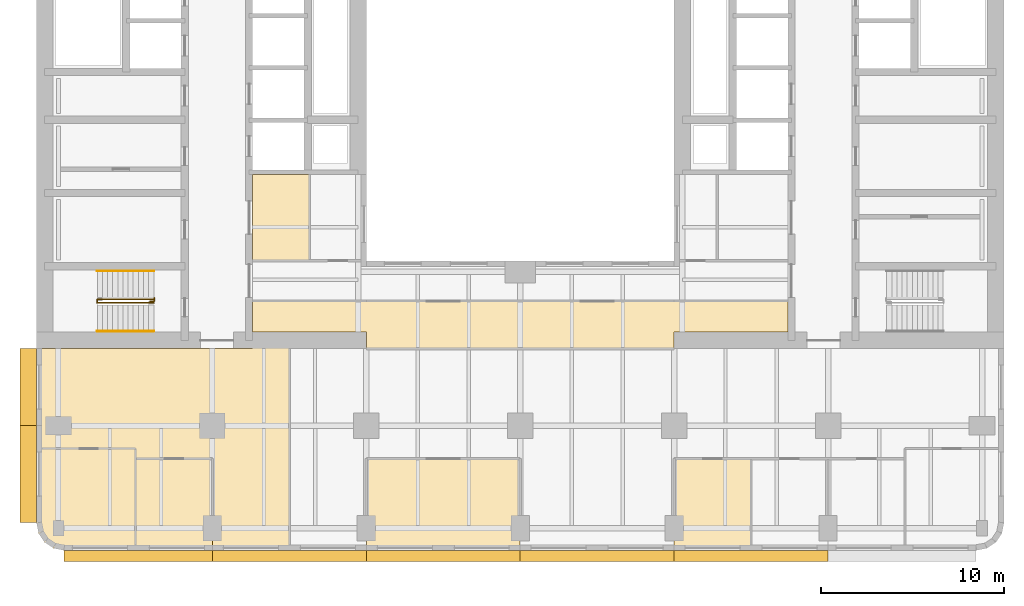
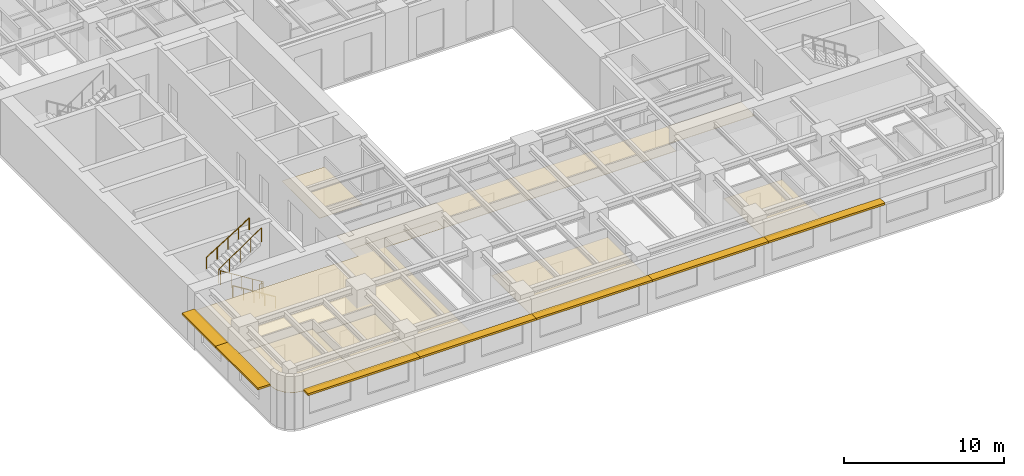
# One storey, part 9 of 11: 7 coverings, 7 shading devices, 4 railings.
"""IFC4 building model written with IfcOpenShell, lengths in metres."""

from ifc_helpers import new_model, si_unit, direction, frame, origin, origin_2d, place, context, subcontext, project, spatial, polyline, rectangle, circle, outline, extrude, material, layer, layer_set, type_object, element, save


model = new_model("IFC4")

# Units and contexts
model_context = context("Model", 3, precision=1e-05, world=origin(), true_north=direction((0.0, 1.0)))
body_context = subcontext(model_context, "Body", "Model", "MODEL_VIEW")
ifc_project = project(units=[si_unit("LENGTHUNIT", "METRE"), si_unit("AREAUNIT", "SQUARE_METRE"), si_unit("VOLUMEUNIT", "CUBIC_METRE"), si_unit("PLANEANGLEUNIT", "RADIAN"), si_unit("MASSUNIT", "GRAM", prefix="KILO")], contexts=[model_context])

# Site, building, storey
site_placement = place(None, origin())
site = spatial("IfcSite", under=ifc_project, at=site_placement, CompositionType="ELEMENT")
building_placement = place(site_placement, origin())
building = spatial("IfcBuilding", under=site, at=building_placement, Name="Claustro Exchange Tower", CompositionType="ELEMENT")
storey_placement = place(building_placement, frame((0.0, 0.0, 130.199951171875)))
storey = spatial("IfcBuildingStorey", under=building, at=storey_placement, Name="L29", CompositionType="ELEMENT", Elevation=130.199951171875)

# Coverings
ifc_material_1 = material(Name="Perforated metal ceiling tiles", Category="steel")
ifc_layer_1 = layer(ifc_material_1, 0.030029296875)
ifc_layer_set_1 = layer_set([ifc_layer_1], Name="Perforated metal ceiling tiles")
covering_type_1 = type_object("IfcCoveringType", Name="CL1 suspended metal ceiling", PredefinedType="CEILING", material=ifc_layer_set_1)
covering_1_placement = place(storey_placement, frame((0.0, 0.0, 2.800048828125)))
element("IfcCovering", 1, at=covering_1_placement, inside=storey, type_object=covering_type_1, Name="Ceiling CL1 L29-09", PredefinedType="CEILING", context=body_context, shape_type="SweptSolid", body=[
    extrude(outline(polyline([(10.60009765625, 12.60009765625), (-1.199951171875, 12.60009765625), (-1.199951171875, 7.14990234375), (4.199951171875, 7.14990234375), (4.199951171875, 6.60009765625), (8.39990234375, 6.60009765625), (8.39990234375, 1.60009765625), (12.60009765625, 1.60009765625), (12.60009765625, 12.60009765625), (16.800048828125, 12.60009765625), (16.800048828125, 13.5), (10.60009765625, 13.5), (10.60009765625, 12.60009765625)])), origin(), (0.0, 0.0, 1.0), 0.030029296875),
])
ifc_material_2 = material(Name="Gypsum board ceiling", Category="gypsum board")
ifc_layer_2 = layer(ifc_material_2, 0.02490234375)
ifc_layer_set_2 = layer_set([ifc_layer_2], Name="Gypsum board ceiling")
covering_type_2 = type_object("IfcCoveringType", Name="CL2 plasterboard ceiling", PredefinedType="CEILING", material=ifc_layer_set_2)
covering_2_placement = place(storey_placement, frame((0.0, 0.0, 2.800048828125)))
element("IfcCovering", 2, at=covering_2_placement, inside=storey, type_object=covering_type_2, Name="Ceiling CL2 L29-01", PredefinedType="CEILING", context=body_context, shape_type="SweptSolid", body=[
    extrude(outline(polyline([(4.199951171875, 1.60009765625), (8.39990234375, 1.60009765625), (8.39990234375, 6.60009765625), (4.199951171875, 6.60009765625), (4.199951171875, 1.60009765625)])), origin(), (0.0, 0.0, 1.0), 0.02490234375),
])
covering_3_placement = place(storey_placement, frame((0.0, 0.0, 2.800048828125)))
element("IfcCovering", 3, at=covering_3_placement, inside=storey, type_object=covering_type_2, Name="Ceiling CL2 L29-02", PredefinedType="CEILING", context=body_context, shape_type="SweptSolid", body=[
    extrude(outline(polyline([(16.800048828125, 1.60009765625), (25.199951171875, 1.60009765625), (25.199951171875, 6.60009765625), (16.800048828125, 6.60009765625), (16.800048828125, 1.60009765625)])), origin(), (0.0, 0.0, 1.0), 0.02490234375),
])
covering_4_placement = place(storey_placement, frame((0.0, 0.0, 2.800048828125)))
element("IfcCovering", 4, at=covering_4_placement, inside=storey, type_object=covering_type_2, Name="Ceiling CL2 L29-03", PredefinedType="CEILING", context=body_context, shape_type="SweptSolid", body=[
    extrude(outline(polyline([(33.60009765625, 1.60009765625), (37.800048828125, 1.60009765625), (37.800048828125, 6.60009765625), (33.60009765625, 6.60009765625), (33.60009765625, 1.60009765625)])), origin(), (0.0, 0.0, 1.0), 0.02490234375),
])
covering_5_placement = place(storey_placement, frame((0.0, 0.0, 2.800048828125)))
element("IfcCovering", 5, at=covering_5_placement, inside=storey, type_object=covering_type_2, Name="Ceiling CL2 L29-06", PredefinedType="CEILING", context=body_context, shape_type="SweptSolid", body=[
    extrude(outline(polyline([(-1.085693359375, 2.52587890625), (-0.7607421875, 2.039306640625), (-0.27392578125, 1.714111328125), (0.300048828125, 1.60009765625), (4.199951171875, 1.60009765625), (4.199951171875, 7.14990234375), (-1.199951171875, 7.14990234375), (-1.199951171875, 3.10009765625), (-1.085693359375, 2.52587890625)])), origin(), (0.0, 0.0, 1.0), 0.02490234375),
])
covering_6_placement = place(storey_placement, frame((0.0, 0.0, 2.800048828125)))
element("IfcCovering", 6, at=covering_6_placement, inside=storey, type_object=covering_type_2, Name="Ceiling CL2 L29-10", PredefinedType="CEILING", context=body_context, shape_type="SweptSolid", body=[
    extrude(outline(polyline([(10.60009765625, 15.199951171875), (10.60009765625, 13.5), (16.800048828125, 13.5), (16.800048828125, 12.60009765625), (33.60009765625, 12.60009765625), (33.60009765625, 13.5), (39.800048828125, 13.5), (39.800048828125, 15.199951171875), (33.60009765625, 15.199951171875), (16.800048828125, 15.199951171875), (10.60009765625, 15.199951171875)])), origin(), (0.0, 0.0, 1.0), 0.02490234375),
])
covering_7_placement = place(storey_placement, frame((0.0, 0.0, 2.800048828125)))
element("IfcCovering", 7, at=covering_7_placement, inside=storey, type_object=covering_type_2, Name="Ceiling CL2 L29-12", PredefinedType="CEILING", context=body_context, shape_type="SweptSolid", body=[
    extrude(outline(polyline([(13.699951171875, 17.39990234375), (13.699951171875, 22.10009765625), (10.60009765625, 22.10009765625), (10.60009765625, 17.39990234375), (13.699951171875, 17.39990234375)])), origin(), (0.0, 0.0, 1.0), 0.02490234375),
])

# Railings
ifc_material_3 = material(Name="Steel balustrade, painted", Category="steel")
railing_type_1 = type_object("IfcRailingType", Name="GR2 1100 steel stair guard", PredefinedType="GUARDRAIL", material=ifc_material_3)
railing_1_placement = place(storey_placement, frame((5.199951171875, 15.10009765625, 0.175048828125)))
element("IfcRailing", 8, at=railing_1_placement, inside=storey, type_object=railing_type_1, Name="Stair well guard GR2 stair STWA L29", PredefinedType="GUARDRAIL", context=body_context, shape_type="SweptSolid", body=[
    extrude(circle(Radius=0.02392578125, at=origin_2d()), frame((0.0, 0.0, 1.076171875), z_axis=(-0.847979421464, 0.0, 0.530029150871), x_axis=(0.0, -1.0, 0.0)), (0.0, 0.0, 1.0), 3.632080078125),
    extrude(circle(Radius=0.02392578125, at=origin_2d()), frame((-3.079833984375, 0.0, 3.0009765625), z_axis=(0.0, 1.0, 0.0), x_axis=(-1.0, 0.0, 0.0)), (0.0, 0.0, 1.0), 0.199951171875),
    extrude(circle(Radius=0.02392578125, at=origin_2d()), frame((-3.079833984375, 0.199951171875, 3.0009765625), z_axis=(0.826231499792, 0.0, 0.563330727682), x_axis=(0.0, 1.0, 0.0)), (0.0, 0.0, 1.0), 3.7275390625),
    extrude(circle(Radius=0.02099609375, at=origin_2d()), origin(), (0.0, 0.0, 1.0), 1.052001953125),
    extrude(circle(Radius=0.02099609375, at=origin_2d()), frame((-0.77001953125, 0.0, 0.481201171875)), (0.0, 0.0, 1.0), 1.052001953125),
    extrude(circle(Radius=0.02099609375, at=origin_2d()), frame((-1.5400390625, 0.0, 0.96240234375)), (0.0, 0.0, 1.0), 1.052001953125),
    extrude(circle(Radius=0.02099609375, at=origin_2d()), frame((-2.309814453125, 0.0, 1.44384765625)), (0.0, 0.0, 1.0), 1.052001953125),
    extrude(circle(Radius=0.02099609375, at=origin_2d()), frame((-3.079833984375, 0.0, 1.925048828125)), (0.0, 0.0, 1.0), 1.052001953125),
    extrude(circle(Radius=0.02099609375, at=origin_2d()), frame((-3.079833984375, 0.199951171875, 1.925048828125)), (0.0, 0.0, 1.0), 1.052001953125),
    extrude(circle(Radius=0.02099609375, at=origin_2d()), frame((-2.309814453125, 0.199951171875, 2.449951171875)), (0.0, 0.0, 1.0), 1.052001953125),
    extrude(circle(Radius=0.02099609375, at=origin_2d()), frame((-1.5400390625, 0.199951171875, 2.97509765625)), (0.0, 0.0, 1.0), 1.052001953125),
    extrude(circle(Radius=0.02099609375, at=origin_2d()), frame((-0.77001953125, 0.199951171875, 3.5)), (0.0, 0.0, 1.0), 1.052001953125),
    extrude(circle(Radius=0.02099609375, at=origin_2d()), frame((0.0, 0.199951171875, 4.02490234375)), (0.0, 0.0, 1.0), 1.052001953125),
])
railing_2_placement = place(storey_placement, frame((5.0, 15.169921875, 0.0)))
element("IfcRailing", 9, at=railing_2_placement, inside=storey, type_object=railing_type_1, Name="Stair guard GR2 STWA L29", PredefinedType="GUARDRAIL", context=body_context, shape_type="SweptSolid", body=[
    extrude(circle(Radius=0.02392578125, at=origin_2d()), frame((0.0, 0.0, 1.076171875), z_axis=(0.0, 1.0, 0.0), x_axis=(-1.0, 0.0, 0.0)), (0.0, 0.0, 1.0), 0.030029296875),
    extrude(circle(Radius=0.02392578125, at=origin_2d()), frame((0.0, 0.030029296875, 1.076171875), z_axis=(1.0, 0.0, 0.0), x_axis=(0.0, 1.0, 0.0)), (0.0, 0.0, 1.0), 0.22509765625),
    extrude(circle(Radius=0.02392578125, at=origin_2d()), frame((0.22509765625, 0.030029296875, 1.076171875), z_axis=(0.0, 1.0, 0.0), x_axis=(-1.0, 0.0, 0.0)), (0.0, 0.0, 1.0), 0.179931640625),
    extrude(circle(Radius=0.02099609375, at=origin_2d()), origin(), (0.0, 0.0, 1.0), 1.052001953125),
    extrude(circle(Radius=0.02099609375, at=origin_2d()), frame((0.0, 0.030029296875, 0.0)), (0.0, 0.0, 1.0), 1.052001953125),
    extrude(circle(Radius=0.02099609375, at=origin_2d()), frame((0.22509765625, 0.030029296875, 0.0)), (0.0, 0.0, 1.0), 1.052001953125),
    extrude(circle(Radius=0.02099609375, at=origin_2d()), frame((0.22509765625, 0.2099609375, 0.0)), (0.0, 0.0, 1.0), 1.052001953125),
])
ifc_material_4 = material(Name="Stainless steel tube", Category="steel")
railing_type_2 = type_object("IfcRailingType", Name="HR1 900 stair handrail", PredefinedType="HANDRAIL", material=ifc_material_4)
railing_3_placement = place(storey_placement, frame((5.199951171875, 13.56005859375, 0.175048828125)))
element("IfcRailing", 10, at=railing_3_placement, inside=storey, type_object=railing_type_2, Name="Handrail HR1 stair STWA L29", PredefinedType="HANDRAIL", context=body_context, shape_type="SweptSolid", body=[
    extrude(circle(Radius=0.02392578125, at=origin_2d()), frame((0.0, 0.0, 0.8759765625), z_axis=(-0.847979421464, 0.0, 0.530029150871), x_axis=(0.0, -1.0, 0.0)), (0.0, 0.0, 1.0), 3.632080078125),
    extrude(circle(Radius=0.02099609375, at=origin_2d()), origin(), (0.0, 0.0, 1.0), 0.851806640625),
    extrude(circle(Radius=0.02099609375, at=origin_2d()), frame((-0.77001953125, 0.0, 0.481201171875)), (0.0, 0.0, 1.0), 0.851806640625),
    extrude(circle(Radius=0.02099609375, at=origin_2d()), frame((-1.5400390625, 0.0, 0.96240234375)), (0.0, 0.0, 1.0), 0.851806640625),
    extrude(circle(Radius=0.02099609375, at=origin_2d()), frame((-2.309814453125, 0.0, 1.44384765625)), (0.0, 0.0, 1.0), 0.851806640625),
    extrude(circle(Radius=0.02099609375, at=origin_2d()), frame((-3.079833984375, 0.0, 1.925048828125)), (0.0, 0.0, 1.0), 0.851806640625),
])
railing_4_placement = place(storey_placement, frame((2.1201171875, 16.840087890625, 2.275146484375)))
element("IfcRailing", 11, at=railing_4_placement, inside=storey, type_object=railing_type_2, Name="Handrail HR1 stair STWA L29", PredefinedType="HANDRAIL", context=body_context, shape_type="SweptSolid", body=[
    extrude(circle(Radius=0.02392578125, at=origin_2d()), frame((0.0, 0.0, 0.8759765625), z_axis=(0.848009633417, 0.0, 0.529980812513), x_axis=(0.0, 1.0, 0.0)), (0.0, 0.0, 1.0), 3.6318359375),
    extrude(circle(Radius=0.02099609375, at=origin_2d()), origin(), (0.0, 0.0, 1.0), 0.851806640625),
    extrude(circle(Radius=0.02099609375, at=origin_2d()), frame((0.77001953125, 0.0, 0.481201171875)), (0.0, 0.0, 1.0), 0.851806640625),
    extrude(circle(Radius=0.02099609375, at=origin_2d()), frame((1.5400390625, 0.0, 0.96240234375)), (0.0, 0.0, 1.0), 0.851806640625),
    extrude(circle(Radius=0.02099609375, at=origin_2d()), frame((2.309814453125, 0.0, 1.443603515625)), (0.0, 0.0, 1.0), 0.851806640625),
    extrude(circle(Radius=0.02099609375, at=origin_2d()), frame((3.079833984375, 0.0, 1.9248046875)), (0.0, 0.0, 1.0), 0.851806640625),
])

# Shading devices
ifc_material_5 = material(Name="Concrete HA-40 (C40/50), precast, white cement, acid-etched", Category="concrete")
ifc_layer_3 = layer(ifc_material_5, 0.14990234375)
ifc_layer_set_3 = layer_set([ifc_layer_3], Name="Concrete HA-40 (C40/50), precast, white cement, acid-etched")
shading_device_type_1 = type_object("IfcShadingDeviceType", Name="SS1 600 precast concrete SUNSHADE", PredefinedType="SHUTTER", material=ifc_layer_set_3)
for number, where, z_axis, x_axis, name in (
    (12, (37.800048828125, 1.300048828125, 2.800048828125), (0.0, 0.0, 1.0), (-1.0, 0.0, 0.0), "Precast SUNSHADE SS1 L29"),
    (13, (29.39990234375, 1.300048828125, 2.800048828125), (0.0, 0.0, 1.0), (-1.0, 0.0, 0.0), "Precast SUNSHADE SS1 L29"),
    (14, (21.0, 1.300048828125, 2.800048828125), (0.0, 0.0, 1.0), (-1.0, 0.0, 0.0), "Precast SUNSHADE SS1 L29"),
    (15, (12.60009765625, 1.300048828125, 2.800048828125), (0.0, 0.0, 1.0), (-1.0, 0.0, 0.0), "Precast SUNSHADE SS1 L29"),
):
    element("IfcShadingDevice", number, at=place(storey_placement, frame(where, z_axis=z_axis, x_axis=x_axis)), inside=storey, type_object=shading_device_type_1, Name=name, PredefinedType="SHUTTER", context=body_context, shape_type="SweptSolid", body=[
        extrude(rectangle(XDim=8.39990234375, YDim=0.60009765625, at=origin_2d()), origin(), (0.0, 0.0, 1.0), 0.14990234375),
    ])
shading_device_1_placement = place(storey_placement, frame((4.357421875, 1.300048828125, 2.800048828125), z_axis=(0.0, 0.0, 1.0), x_axis=(-1.0, 0.0, 0.0)))
element("IfcShadingDevice", 16, at=shading_device_1_placement, inside=storey, type_object=shading_device_type_1, Name="Precast SUNSHADE SS1 L29", PredefinedType="SHUTTER", context=body_context, shape_type="SweptSolid", body=[
    extrude(rectangle(XDim=8.085205078125, YDim=0.60009765625, at=origin_2d()), origin(), (0.0, 0.0, 1.0), 0.14990234375),
])
ifc_material_6 = material(Name="Concrete HA-40 (C40/50), precast, white cement, acid-etched", Category="concrete")
ifc_layer_4 = layer(ifc_material_6, 0.14990234375)
ifc_layer_set_4 = layer_set([ifc_layer_4], Name="Concrete HA-40 (C40/50), precast, white cement, acid-etched")
shading_device_type_2 = type_object("IfcShadingDeviceType", Name="SS2 900 precast concrete SUNSHADE", PredefinedType="SHUTTER", material=ifc_layer_set_4)
shading_device_2_placement = place(storey_placement, frame((-1.64990234375, 5.75732421875, 2.800048828125), z_axis=(0.0, 0.0, 1.0), x_axis=(0.0, 1.0, 0.0)))
element("IfcShadingDevice", 17, at=shading_device_2_placement, inside=storey, type_object=shading_device_type_2, Name="Precast SUNSHADE SS2 L29", PredefinedType="SHUTTER", context=body_context, shape_type="SweptSolid", body=[
    extrude(rectangle(XDim=5.28515625, YDim=0.89990234375, at=origin_2d()), origin(), (0.0, 0.0, 1.0), 0.14990234375),
])
shading_device_3_placement = place(storey_placement, frame((-1.64990234375, 10.5, 2.800048828125), z_axis=(0.0, 0.0, 1.0), x_axis=(0.0, 1.0, 0.0)))
element("IfcShadingDevice", 18, at=shading_device_3_placement, inside=storey, type_object=shading_device_type_2, Name="Precast SUNSHADE SS2 L29", PredefinedType="SHUTTER", context=body_context, shape_type="SweptSolid", body=[
    extrude(rectangle(XDim=4.199951171875, YDim=0.89990234375, at=origin_2d()), origin(), (0.0, 0.0, 1.0), 0.14990234375),
])

save(model, "model.ifc")
